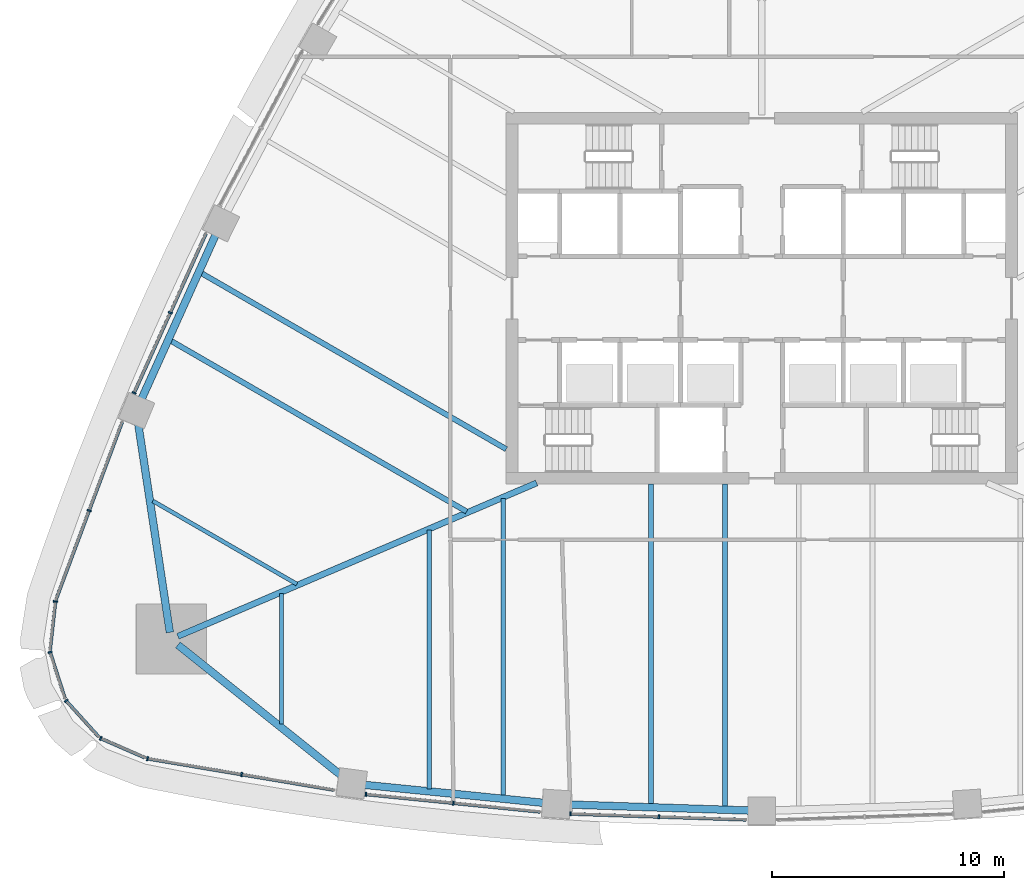
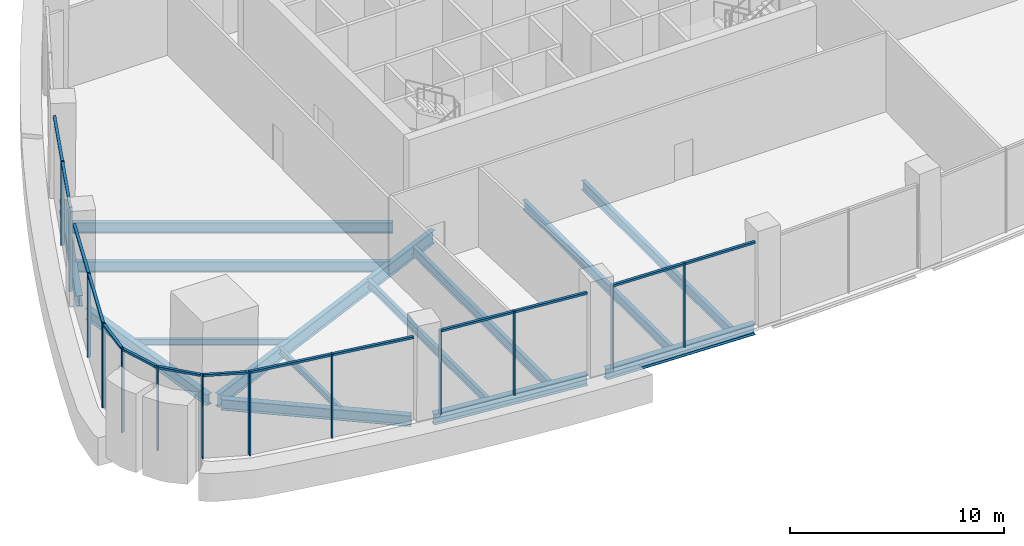
# One storey, part 2 of 16: 27 members, 14 beams, 9 elements without a shape of their own.
"""IFC4 building model written with IfcOpenShell, lengths in metres."""

from ifc_helpers import new_model, si_unit, direction, frame, origin, origin_2d, place, context, subcontext, project, spatial, rectangle, i_section, extrude, material, layer, layer_set, material_profile, profile_set, type_object, element, aggregate, save


model = new_model("IFC4")

# Units and contexts
model_context = context("Model", 3, precision=1e-05, world=origin(), true_north=direction((0.0, 1.0)))
body_context = subcontext(model_context, "Body", "Model", "MODEL_VIEW")
ifc_project = project(units=[si_unit("LENGTHUNIT", "METRE"), si_unit("AREAUNIT", "SQUARE_METRE"), si_unit("VOLUMEUNIT", "CUBIC_METRE"), si_unit("PLANEANGLEUNIT", "RADIAN"), si_unit("MASSUNIT", "GRAM", prefix="KILO")], contexts=[model_context])

# Site, building, storey
site_placement = place(None, origin())
site = spatial("IfcSite", under=ifc_project, at=site_placement, CompositionType="ELEMENT")
building_placement = place(site_placement, origin())
building = spatial("IfcBuilding", under=site, at=building_placement, Name="Sierra Prisma Convention Tower", CompositionType="ELEMENT")
storey_placement = place(building_placement, frame((0.0, 0.0, 107.199951171875)))
storey = spatial("IfcBuildingStorey", under=building, at=storey_placement, Name="L23", CompositionType="ELEMENT", Elevation=107.199951171875)

# Curtain wall, members
ifc_material_1 = material(Name="Aluminium and glass curtain wall", Category="aluminium")
ifc_layer = layer(ifc_material_1, 0.179931640625)
ifc_layer_set = layer_set([ifc_layer], Name="CW-1 Plain shaft curtain wall")
curtain_wall_type = type_object("IfcCurtainWallType", Name="CW-1 Plain shaft curtain wall", PredefinedType="NOTDEFINED", material=ifc_layer_set)
curtain_wall_1_placement = place(storey_placement, origin())
curtain_wall_1 = element("IfcCurtainWall", 1, at=curtain_wall_1_placement, inside=storey, type_object=curtain_wall_type, Name="CW-1 S1 L23", PredefinedType="NOTDEFINED")
ifc_material_2 = material(Name="Aluminium 6063-T6 bronze anodised", Category="aluminium")
ifc_material_profile_1 = material_profile(ifc_material_2, rectangle(XDim=0.179931640625, YDim=0.070068359375, at=origin_2d()), Name="ALU MULLION 70x180")
ifc_profile_set_1 = profile_set([ifc_material_profile_1], Name="Aluminium 6063-T6 bronze anodised")
member_type_1 = type_object("IfcMemberType", Name="CW mullion bronze", PredefinedType="MULLION", material=ifc_profile_set_1)
member_1_placement = place(storey_placement, frame((-26.43994140625, -19.8212890625, 0.0), z_axis=(0.0, 0.0, 1.0), x_axis=(0.16596362774, 0.986131874684, 0.0)))
member_1 = element("IfcMember", 2, at=member_1_placement, type_object=member_type_1, Name="CW-1 mullion S1.1", PredefinedType="MULLION", context=body_context, shape_type="SweptSolid", body=[
    extrude(rectangle(XDim=0.179931640625, YDim=0.070068359375, at=origin_2d()), origin(), (0.0, 0.0, 1.0), 4.800048828125),
])
member_2_placement = place(storey_placement, frame((-22.390625, -20.502685546875, 0.0), z_axis=(0.0, 0.0, 1.0), x_axis=(0.16596362774, 0.986131874684, 0.0)))
member_2 = element("IfcMember", 3, at=member_2_placement, type_object=member_type_1, Name="CW-1 mullion S1.2", PredefinedType="MULLION", context=body_context, shape_type="SweptSolid", body=[
    extrude(rectangle(XDim=0.179931640625, YDim=0.070068359375, at=origin_2d()), origin(), (0.0, 0.0, 1.0), 4.800048828125),
])

curtain_wall_2_placement = place(storey_placement, origin())
curtain_wall_2 = element("IfcCurtainWall", 4, at=curtain_wall_2_placement, inside=storey, type_object=curtain_wall_type, Name="CW-1 S2 L23", PredefinedType="NOTDEFINED")
member_3_placement = place(storey_placement, frame((-17.03857421875, -21.357421875, 0.0), z_axis=(0.0, 0.0, 1.0), x_axis=(0.09987427772, 0.995000064648, 0.0)))
member_3 = element("IfcMember", 5, at=member_3_placement, type_object=member_type_1, Name="CW-1 mullion S2.1", PredefinedType="MULLION", context=body_context, shape_type="SweptSolid", body=[
    extrude(rectangle(XDim=0.179931640625, YDim=0.070068359375, at=origin_2d()), origin(), (0.0, 0.0, 1.0), 4.800048828125),
])
member_4_placement = place(storey_placement, frame((-13.27392578125, -21.7353515625, 0.0), z_axis=(0.0, 0.0, 1.0), x_axis=(0.09987427772, 0.995000064648, 0.0)))
member_4 = element("IfcMember", 6, at=member_4_placement, type_object=member_type_1, Name="CW-1 mullion S2.2", PredefinedType="MULLION", context=body_context, shape_type="SweptSolid", body=[
    extrude(rectangle(XDim=0.179931640625, YDim=0.070068359375, at=origin_2d()), origin(), (0.0, 0.0, 1.0), 4.800048828125),
])

curtain_wall_3_placement = place(storey_placement, origin())
curtain_wall_3 = element("IfcCurtainWall", 7, at=curtain_wall_3_placement, inside=storey, type_object=curtain_wall_type, Name="CW-1 S3 L23", PredefinedType="NOTDEFINED")
member_5_placement = place(storey_placement, frame((-8.22998046875, -22.1982421875, 0.0), z_axis=(0.0, 0.0, 1.0), x_axis=(0.033340842002, 0.999444039581, 0.0)))
member_5 = element("IfcMember", 8, at=member_5_placement, type_object=member_type_1, Name="CW-1 mullion S3.1", PredefinedType="MULLION", context=body_context, shape_type="SweptSolid", body=[
    extrude(rectangle(XDim=0.179931640625, YDim=0.070068359375, at=origin_2d()), origin(), (0.0, 0.0, 1.0), 4.800048828125),
])
member_6_placement = place(storey_placement, frame((-4.432373046875, -22.324951171875, 0.0), z_axis=(0.0, 0.0, 1.0), x_axis=(0.033340842002, 0.999444039581, 0.0)))
member_6 = element("IfcMember", 9, at=member_6_placement, type_object=member_type_1, Name="CW-1 mullion S3.2", PredefinedType="MULLION", context=body_context, shape_type="SweptSolid", body=[
    extrude(rectangle(XDim=0.179931640625, YDim=0.070068359375, at=origin_2d()), origin(), (0.0, 0.0, 1.0), 4.800048828125),
])

curtain_wall_4_placement = place(storey_placement, origin())
curtain_wall_4 = element("IfcCurtainWall", 10, at=curtain_wall_4_placement, inside=storey, type_object=curtain_wall_type, Name="CW-1 NW5 L23", PredefinedType="NOTDEFINED")
member_7_placement = place(storey_placement, frame((-25.46044921875, -0.627685546875, 0.0), z_axis=(0.0, 0.0, 1.0), x_axis=(0.911632471612, -0.411006370634, 0.0)))
member_7 = element("IfcMember", 11, at=member_7_placement, type_object=member_type_1, Name="CW-1 mullion NW5.2", PredefinedType="MULLION", context=body_context, shape_type="SweptSolid", body=[
    extrude(rectangle(XDim=0.179931640625, YDim=0.070068359375, at=origin_2d()), origin(), (0.0, 0.0, 1.0), 4.800048828125),
])
member_8_placement = place(storey_placement, frame((-27.015380859375, -4.076904296875, 0.0), z_axis=(0.0, 0.0, 1.0), x_axis=(0.911632471612, -0.411006370634, 0.0)))
member_8 = element("IfcMember", 12, at=member_8_placement, type_object=member_type_1, Name="CW-1 mullion NW5.3", PredefinedType="MULLION", context=body_context, shape_type="SweptSolid", body=[
    extrude(rectangle(XDim=0.179931640625, YDim=0.070068359375, at=origin_2d()), origin(), (0.0, 0.0, 1.0), 4.800048828125),
])

# Curtain wall, member
curtain_wall_5_placement = place(storey_placement, origin())
curtain_wall_5 = element("IfcCurtainWall", 13, at=curtain_wall_5_placement, inside=storey, type_object=curtain_wall_type, Name="CW-1 NW6 L23", PredefinedType="NOTDEFINED")
member_9_placement = place(storey_placement, frame((-28.951171875, -9.139404296875, 0.0), z_axis=(0.0, 0.0, 1.0), x_axis=(0.936997068828, -0.349337219615, 0.0)))
member_9 = element("IfcMember", 14, at=member_9_placement, type_object=member_type_1, Name="CW-1 mullion NW6.2", PredefinedType="MULLION", context=body_context, shape_type="SweptSolid", body=[
    extrude(rectangle(XDim=0.179931640625, YDim=0.070068359375, at=origin_2d()), origin(), (0.0, 0.0, 1.0), 4.800048828125),
])

curtain_wall_6_placement = place(storey_placement, origin())
curtain_wall_6 = element("IfcCurtainWall", 15, at=curtain_wall_6_placement, inside=storey, type_object=curtain_wall_type, Name="CW-1 SW1 L23", PredefinedType="NOTDEFINED")
member_10_placement = place(storey_placement, frame((-30.40185546875, -13.054443359375, 0.0), z_axis=(0.0, 0.0, 1.0), x_axis=(0.993763825776, -0.111505419508, 0.0)))
member_10 = element("IfcMember", 16, at=member_10_placement, type_object=member_type_1, Name="CW-1 mullion SW1.1", PredefinedType="MULLION", context=body_context, shape_type="SweptSolid", body=[
    extrude(rectangle(XDim=0.179931640625, YDim=0.070068359375, at=origin_2d()), origin(), (0.0, 0.0, 1.0), 4.800048828125),
])

curtain_wall_7_placement = place(storey_placement, origin())
curtain_wall_7 = element("IfcCurtainWall", 17, at=curtain_wall_7_placement, inside=storey, type_object=curtain_wall_type, Name="CW-1 SW2 L23", PredefinedType="NOTDEFINED")
member_11_placement = place(storey_placement, frame((-30.632568359375, -15.240478515625, 0.0), z_axis=(0.0, 0.0, 1.0), x_axis=(0.951776810469, 0.306791302116, 0.0)))
member_11 = element("IfcMember", 18, at=member_11_placement, type_object=member_type_1, Name="CW-1 mullion SW2.1", PredefinedType="MULLION", context=body_context, shape_type="SweptSolid", body=[
    extrude(rectangle(XDim=0.179931640625, YDim=0.070068359375, at=origin_2d()), origin(), (0.0, 0.0, 1.0), 4.800048828125),
])

curtain_wall_8_placement = place(storey_placement, origin())
curtain_wall_8 = element("IfcCurtainWall", 19, at=curtain_wall_8_placement, inside=storey, type_object=curtain_wall_type, Name="CW-1 SW3 L23", PredefinedType="NOTDEFINED")
member_12_placement = place(storey_placement, frame((-29.944580078125, -17.328125, 0.0), z_axis=(0.0, 0.0, 1.0), x_axis=(0.741577466527, 0.670867245541, 0.0)))
member_12 = element("IfcMember", 20, at=member_12_placement, type_object=member_type_1, Name="CW-1 mullion SW3.1", PredefinedType="MULLION", context=body_context, shape_type="SweptSolid", body=[
    extrude(rectangle(XDim=0.179931640625, YDim=0.070068359375, at=origin_2d()), origin(), (0.0, 0.0, 1.0), 4.800048828125),
])

curtain_wall_9_placement = place(storey_placement, origin())
curtain_wall_9 = element("IfcCurtainWall", 21, at=curtain_wall_9_placement, inside=storey, type_object=curtain_wall_type, Name="CW-1 SW4 L23", PredefinedType="NOTDEFINED")
member_13_placement = place(storey_placement, frame((-28.459228515625, -18.9482421875, 0.0), z_axis=(0.0, 0.0, 1.0), x_axis=(0.400315386935, 0.916377428238, 0.0)))
member_13 = element("IfcMember", 22, at=member_13_placement, type_object=member_type_1, Name="CW-1 mullion SW4.1", PredefinedType="MULLION", context=body_context, shape_type="SweptSolid", body=[
    extrude(rectangle(XDim=0.179931640625, YDim=0.070068359375, at=origin_2d()), origin(), (0.0, 0.0, 1.0), 4.800048828125),
])

# Member
ifc_material_3 = material(Name="Aluminium 6063-T6 bronze anodised", Category="aluminium")
ifc_material_profile_2 = material_profile(ifc_material_3, rectangle(XDim=0.139892578125, YDim=0.1201171875, at=origin_2d()), Name="ALU TRANSOM 120x140")
ifc_profile_set_2 = profile_set([ifc_material_profile_2], Name="Aluminium 6063-T6 bronze anodised")
member_type_2 = type_object("IfcMemberType", Name="CW transom bronze", PredefinedType="USERDEFINED", material=ifc_profile_set_2)
member_14_placement = place(storey_placement, frame((-26.4052734375, -19.8271484375, 4.739990234375), z_axis=(0.986139355539, -0.165919171456, 0.0), x_axis=(0.165919171456, 0.986139355539, 0.0)))
member_14 = element("IfcMember", 23, at=member_14_placement, type_object=member_type_2, Name="CW-1 transom S1.1", ObjectType="TRANSOM", PredefinedType="USERDEFINED", context=body_context, shape_type="SweptSolid", body=[
    extrude(rectangle(XDim=0.139892578125, YDim=0.1201171875, at=origin_2d()), origin(), (0.0, 0.0, 1.0), 4.0361328125),
])

member_15_placement = place(storey_placement, frame((-22.356201171875, -20.508544921875, 4.739990234375), z_axis=(0.986129456837, -0.165977993594, 0.0), x_axis=(0.165977993594, 0.986129456837, 0.0)))
member_15 = element("IfcMember", 24, at=member_15_placement, type_object=member_type_2, Name="CW-1 transom S1.2", ObjectType="TRANSOM", PredefinedType="USERDEFINED", context=body_context, shape_type="SweptSolid", body=[
    extrude(rectangle(XDim=0.139892578125, YDim=0.1201171875, at=origin_2d()), origin(), (0.0, 0.0, 1.0), 4.0361328125),
])

aggregate(curtain_wall_1, [member_1, member_2, member_14, member_15])

member_16_placement = place(storey_placement, frame((-17.003662109375, -21.361083984375, 4.739990234375), z_axis=(0.995001325848, -0.099861712188, 0.0), x_axis=(0.099861712188, 0.995001325848, 0.0)))
member_16 = element("IfcMember", 25, at=member_16_placement, type_object=member_type_2, Name="CW-1 transom S2.1", ObjectType="TRANSOM", PredefinedType="USERDEFINED", context=body_context, shape_type="SweptSolid", body=[
    extrude(rectangle(XDim=0.139892578125, YDim=0.1201171875, at=origin_2d()), origin(), (0.0, 0.0, 1.0), 3.713623046875),
])

member_17_placement = place(storey_placement, frame((-13.239013671875, -21.739013671875, 4.739990234375), z_axis=(0.995001325848, -0.099861712188, 0.0), x_axis=(0.099861712188, 0.995001325848, 0.0)))
member_17 = element("IfcMember", 26, at=member_17_placement, type_object=member_type_2, Name="CW-1 transom S2.2", ObjectType="TRANSOM", PredefinedType="USERDEFINED", context=body_context, shape_type="SweptSolid", body=[
    extrude(rectangle(XDim=0.139892578125, YDim=0.1201171875, at=origin_2d()), origin(), (0.0, 0.0, 1.0), 3.713623046875),
])

aggregate(curtain_wall_2, [member_3, member_4, member_16, member_17])

member_18_placement = place(storey_placement, frame((-8.195068359375, -22.199462890625, 4.739990234375), z_axis=(0.999444834329, -0.033317009671, 0.0), x_axis=(0.033317009671, 0.999444834329, 0.0)))
member_18 = element("IfcMember", 27, at=member_18_placement, type_object=member_type_2, Name="CW-1 transom S3.1", ObjectType="TRANSOM", PredefinedType="USERDEFINED", context=body_context, shape_type="SweptSolid", body=[
    extrude(rectangle(XDim=0.139892578125, YDim=0.1201171875, at=origin_2d()), origin(), (0.0, 0.0, 1.0), 3.729736328125),
])

member_19_placement = place(storey_placement, frame((-4.397216796875, -22.326171875, 4.739990234375), z_axis=(0.999444761664, -0.033319189395, 0.0), x_axis=(0.033319189395, 0.999444761664, 0.0)))
member_19 = element("IfcMember", 28, at=member_19_placement, type_object=member_type_2, Name="CW-1 transom S3.2", ObjectType="TRANSOM", PredefinedType="USERDEFINED", context=body_context, shape_type="SweptSolid", body=[
    extrude(rectangle(XDim=0.139892578125, YDim=0.1201171875, at=origin_2d()), origin(), (0.0, 0.0, 1.0), 3.7294921875),
])

aggregate(curtain_wall_3, [member_5, member_6, member_18, member_19])

member_20_placement = place(storey_placement, frame((-23.919677734375, 2.78955078125, 4.739990234375), z_axis=(-0.41101241598, -0.911629746065, 0.0), x_axis=(0.911629746065, -0.41101241598, 0.0)))
member_20 = element("IfcMember", 29, at=member_20_placement, type_object=member_type_2, Name="CW-1 transom NW5.1", ObjectType="TRANSOM", PredefinedType="USERDEFINED", context=body_context, shape_type="SweptSolid", body=[
    extrude(rectangle(XDim=0.139892578125, YDim=0.1201171875, at=origin_2d()), origin(), (0.0, 0.0, 1.0), 3.713623046875),
])

member_21_placement = place(storey_placement, frame((-25.474609375, -0.65966796875, 4.739990234375), z_axis=(-0.41101241598, -0.911629746065, 0.0), x_axis=(0.911629746065, -0.41101241598, 0.0)))
member_21 = element("IfcMember", 30, at=member_21_placement, type_object=member_type_2, Name="CW-1 transom NW5.2", ObjectType="TRANSOM", PredefinedType="USERDEFINED", context=body_context, shape_type="SweptSolid", body=[
    extrude(rectangle(XDim=0.139892578125, YDim=0.1201171875, at=origin_2d()), origin(), (0.0, 0.0, 1.0), 3.713623046875),
])

aggregate(curtain_wall_4, [member_7, member_8, member_20, member_21])

member_22_placement = place(storey_placement, frame((-27.529052734375, -5.324951171875, 4.739990234375), z_axis=(-0.349332942615, -0.936998663395, 0.0), x_axis=(0.936998663395, -0.349332942615, 0.0)))
member_22 = element("IfcMember", 31, at=member_22_placement, type_object=member_type_2, Name="CW-1 transom NW6.1", ObjectType="TRANSOM", PredefinedType="USERDEFINED", context=body_context, shape_type="SweptSolid", body=[
    extrude(rectangle(XDim=0.139892578125, YDim=0.1201171875, at=origin_2d()), origin(), (0.0, 0.0, 1.0), 4.0361328125),
])

member_23_placement = place(storey_placement, frame((-28.96337890625, -9.17236328125, 4.739990234375), z_axis=(-0.34938604961, -0.936978862268, 0.0), x_axis=(0.936978862268, -0.34938604961, 0.0)))
member_23 = element("IfcMember", 32, at=member_23_placement, type_object=member_type_2, Name="CW-1 transom NW6.2", ObjectType="TRANSOM", PredefinedType="USERDEFINED", context=body_context, shape_type="SweptSolid", body=[
    extrude(rectangle(XDim=0.139892578125, YDim=0.1201171875, at=origin_2d()), origin(), (0.0, 0.0, 1.0), 4.0361328125),
])

aggregate(curtain_wall_5, [member_9, member_22, member_23])

member_24_placement = place(storey_placement, frame((-30.40576171875, -13.08935546875, 4.739990234375), z_axis=(-0.111471609175, -0.993767618887, 0.0), x_axis=(0.993767618887, -0.111471609175, 0.0)))
member_24 = element("IfcMember", 33, at=member_24_placement, type_object=member_type_2, Name="CW-1 transom SW1.1", ObjectType="TRANSOM", PredefinedType="USERDEFINED", context=body_context, shape_type="SweptSolid", body=[
    extrude(rectangle(XDim=0.139892578125, YDim=0.1201171875, at=origin_2d()), origin(), (0.0, 0.0, 1.0), 2.06103515625),
])

aggregate(curtain_wall_6, [member_10, member_24])

member_25_placement = place(storey_placement, frame((-30.621826171875, -15.273681640625, 4.739990234375), z_axis=(0.306795115776, -0.951775581183, 0.0), x_axis=(0.951775581183, 0.306795115776, 0.0)))
member_25 = element("IfcMember", 34, at=member_25_placement, type_object=member_type_2, Name="CW-1 transom SW2.1", ObjectType="TRANSOM", PredefinedType="USERDEFINED", context=body_context, shape_type="SweptSolid", body=[
    extrude(rectangle(XDim=0.139892578125, YDim=0.1201171875, at=origin_2d()), origin(), (0.0, 0.0, 1.0), 2.06103515625),
])

aggregate(curtain_wall_7, [member_11, member_25])

member_26_placement = place(storey_placement, frame((-29.921142578125, -17.35400390625, 4.739990234375), z_axis=(0.670925730571, -0.741524553915, 0.0), x_axis=(0.741524553915, 0.670925730571, 0.0)))
member_26 = element("IfcMember", 35, at=member_26_placement, type_object=member_type_2, Name="CW-1 transom SW3.1", ObjectType="TRANSOM", PredefinedType="USERDEFINED", context=body_context, shape_type="SweptSolid", body=[
    extrude(rectangle(XDim=0.139892578125, YDim=0.1201171875, at=origin_2d()), origin(), (0.0, 0.0, 1.0), 2.06103515625),
])

aggregate(curtain_wall_8, [member_12, member_26])

member_27_placement = place(storey_placement, frame((-28.42724609375, -18.96240234375, 4.739990234375), z_axis=(0.916396419408, -0.400271910701, 0.0), x_axis=(0.400271910701, 0.916396419408, 0.0)))
member_27 = element("IfcMember", 36, at=member_27_placement, type_object=member_type_2, Name="CW-1 transom SW4.1", ObjectType="TRANSOM", PredefinedType="USERDEFINED", context=body_context, shape_type="SweptSolid", body=[
    extrude(rectangle(XDim=0.139892578125, YDim=0.1201171875, at=origin_2d()), origin(), (0.0, 0.0, 1.0), 2.06103515625),
])

aggregate(curtain_wall_9, [member_13, member_27])

# Beams
ifc_material_4 = material(Name="Steel ASTM A992 Gr 50", Category="steel")
ifc_material_profile_3 = material_profile(ifc_material_4, i_section(OverallWidth=0.172119140625, OverallDepth=0.35791015625, WebThickness=0.0078125, FlangeThickness=0.01318359375, at=origin_2d()), Name="W360x57")
ifc_profile_set_3 = profile_set([ifc_material_profile_3], Name="Steel ASTM A992 Gr 50")
beam_type_1 = type_object("IfcBeamType", Name="Floor joist W360x57", PredefinedType="JOIST", material=ifc_profile_set_3)
beam_1_placement = place(storey_placement, frame((-20.6650390625, -18.336181640625, -0.328857421875), z_axis=(0.0, 1.0, 0.0), x_axis=(-1.0, 0.0, 0.0)))
element("IfcBeam", 37, at=beam_1_placement, inside=storey, type_object=beam_type_1, Name="Floor joist L23 S02", PredefinedType="JOIST", context=body_context, shape_type="SweptSolid", body=[
    extrude(i_section(OverallWidth=0.172119140625, OverallDepth=0.35791015625, WebThickness=0.0078125, FlangeThickness=0.01318359375, at=origin_2d()), origin(), (0.0, 0.0, 1.0), 5.63330078125),
])
beam_2_placement = place(storey_placement, frame((-26.2119140625, -8.728271484375, -0.328857421875), z_axis=(0.866010118182, -0.500026474506, 0.0), x_axis=(0.500026474506, 0.866010118182, 0.0)))
element("IfcBeam", 38, at=beam_2_placement, inside=storey, type_object=beam_type_1, Name="Floor joist L23 NW15", PredefinedType="JOIST", context=body_context, shape_type="SweptSolid", body=[
    extrude(i_section(OverallWidth=0.172119140625, OverallDepth=0.35791015625, WebThickness=0.0078125, FlangeThickness=0.01318359375, at=origin_2d()), origin(), (0.0, 0.0, 1.0), 7.15966796875),
])
ifc_material_5 = material(Name="Steel ASTM A992 Gr 50", Category="steel")
ifc_material_profile_4 = material_profile(ifc_material_5, i_section(OverallWidth=0.18994140625, OverallDepth=0.45703125, WebThickness=0.009033203125, FlangeThickness=0.014404296875, at=origin_2d()), Name="W460x74")
ifc_profile_set_4 = profile_set([ifc_material_profile_4], Name="Steel ASTM A992 Gr 50")
beam_type_2 = type_object("IfcBeamType", Name="Floor joist W460x74", PredefinedType="JOIST", material=ifc_profile_set_4)
beam_3_placement = place(storey_placement, frame((-14.306396484375, -21.11669921875, -0.37841796875), z_axis=(0.0, 1.0, 0.0), x_axis=(-1.0, 0.0, 0.0)))
element("IfcBeam", 39, at=beam_3_placement, inside=storey, type_object=beam_type_2, Name="Floor joist L23 S04", PredefinedType="JOIST", context=body_context, shape_type="SweptSolid", body=[
    extrude(i_section(OverallWidth=0.18994140625, OverallDepth=0.45703125, WebThickness=0.009033203125, FlangeThickness=0.014404296875, at=origin_2d()), origin(), (0.0, 0.0, 1.0), 11.13232421875),
])
ifc_material_6 = material(Name="Steel ASTM A992 Gr 50", Category="steel")
ifc_material_profile_5 = material_profile(ifc_material_6, i_section(OverallWidth=0.208984375, OverallDepth=0.532958984375, WebThickness=0.01025390625, FlangeThickness=0.015625, at=origin_2d()), Name="W530x92")
ifc_profile_set_5 = profile_set([ifc_material_profile_5], Name="Steel ASTM A992 Gr 50")
beam_type_3 = type_object("IfcBeamType", Name="Floor joist W530x92", PredefinedType="JOIST", material=ifc_profile_set_5)
beam_4_placement = place(storey_placement, frame((-11.127197265625, -21.435791015625, -0.41650390625), z_axis=(0.0, 1.0, 0.0), x_axis=(-1.0, 0.0, 0.0)))
element("IfcBeam", 40, at=beam_4_placement, inside=storey, type_object=beam_type_3, Name="Floor joist L23 S05", PredefinedType="JOIST", context=body_context, shape_type="SweptSolid", body=[
    extrude(i_section(OverallWidth=0.208984375, OverallDepth=0.532958984375, WebThickness=0.01025390625, FlangeThickness=0.015625, at=origin_2d()), origin(), (0.0, 0.0, 1.0), 12.810791015625),
])
beam_5_placement = place(storey_placement, frame((-4.768798828125, -21.80126953125, -0.41650390625), z_axis=(0.0, 1.0, 0.0), x_axis=(-1.0, 0.0, 0.0)))
element("IfcBeam", 41, at=beam_5_placement, inside=storey, type_object=beam_type_3, Name="Floor joist L23 S07", PredefinedType="JOIST", context=body_context, shape_type="SweptSolid", body=[
    extrude(i_section(OverallWidth=0.208984375, OverallDepth=0.532958984375, WebThickness=0.01025390625, FlangeThickness=0.015625, at=origin_2d()), origin(), (0.0, 0.0, 1.0), 13.80126953125),
])
beam_6_placement = place(storey_placement, frame((-1.589599609375, -21.9072265625, -0.41650390625), z_axis=(0.0, 1.0, 0.0), x_axis=(-1.0, 0.0, 0.0)))
element("IfcBeam", 42, at=beam_6_placement, inside=storey, type_object=beam_type_3, Name="Floor joist L23 S08", PredefinedType="JOIST", context=body_context, shape_type="SweptSolid", body=[
    extrude(i_section(OverallWidth=0.208984375, OverallDepth=0.532958984375, WebThickness=0.01025390625, FlangeThickness=0.015625, at=origin_2d()), origin(), (0.0, 0.0, 1.0), 13.9072265625),
])
ifc_material_7 = material(Name="Steel ASTM A992 Gr 50", Category="steel")
ifc_material_profile_6 = material_profile(ifc_material_7, i_section(OverallWidth=0.22802734375, OverallDepth=0.60302734375, WebThickness=0.010498046875, FlangeThickness=0.014892578125, at=origin_2d()), Name="W610x101")
ifc_profile_set_6 = profile_set([ifc_material_profile_6], Name="Steel ASTM A992 Gr 50")
beam_type_4 = type_object("IfcBeamType", Name="Floor joist W610x101", PredefinedType="JOIST", material=ifc_profile_set_6)
beam_7_placement = place(storey_placement, frame((-24.12744140625, 1.081298828125, -0.451416015625), z_axis=(0.866026268399, -0.49999850244, 0.0), x_axis=(0.49999850244, 0.866026268399, 0.0)))
element("IfcBeam", 43, at=beam_7_placement, inside=storey, type_object=beam_type_4, Name="Floor joist L23 NW12", PredefinedType="JOIST", context=body_context, shape_type="SweptSolid", body=[
    extrude(i_section(OverallWidth=0.22802734375, OverallDepth=0.60302734375, WebThickness=0.010498046875, FlangeThickness=0.014892578125, at=origin_2d()), origin(), (0.0, 0.0, 1.0), 15.158203125),
])
beam_8_placement = place(storey_placement, frame((-25.44091796875, -1.83154296875, -0.451416015625), z_axis=(0.86603298155, -0.499986874695, 0.0), x_axis=(0.499986874695, 0.86603298155, 0.0)))
element("IfcBeam", 44, at=beam_8_placement, inside=storey, type_object=beam_type_4, Name="Floor joist L23 NW13", PredefinedType="JOIST", context=body_context, shape_type="SweptSolid", body=[
    extrude(i_section(OverallWidth=0.22802734375, OverallDepth=0.60302734375, WebThickness=0.010498046875, FlangeThickness=0.014892578125, at=origin_2d()), origin(), (0.0, 0.0, 1.0), 14.7060546875),
])
ifc_material_8 = material(Name="Steel ASTM A992 Gr 50", Category="steel")
ifc_material_profile_7 = material_profile(ifc_material_8, i_section(OverallWidth=0.264892578125, OverallDepth=0.7529296875, WebThickness=0.01318359375, FlangeThickness=0.01708984375, at=origin_2d()), Name="W760x147")
ifc_profile_set_7 = profile_set([ifc_material_profile_7], Name="Steel ASTM A992 Gr 50")
beam_type_5 = type_object("IfcBeamType", Name="Radial girder W760x147", PredefinedType="BEAM", material=ifc_profile_set_7)
beam_9_placement = place(storey_placement, frame((-25.1337890625, -14.555908203125, -0.5263671875), z_axis=(0.91948676355, 0.393120963135, 0.0), x_axis=(-0.393120963135, 0.91948676355, 0.0)))
element("IfcBeam", 45, at=beam_9_placement, inside=storey, type_object=beam_type_5, Name="Radial girder L23 SW", PredefinedType="BEAM", context=body_context, shape_type="SweptSolid", body=[
    extrude(i_section(OverallWidth=0.264892578125, OverallDepth=0.7529296875, WebThickness=0.01318359375, FlangeThickness=0.01708984375, at=origin_2d()), origin(), (0.0, 0.0, 1.0), 16.79638671875),
])
ifc_material_9 = material(Name="Steel ASTM A992 Gr 50", Category="steel")
ifc_material_profile_8 = material_profile(ifc_material_9, i_section(OverallWidth=0.324951171875, OverallDepth=0.615966796875, WebThickness=0.013916015625, FlangeThickness=0.021484375, at=origin_2d()), Name="W610x174")
ifc_profile_set_8 = profile_set([ifc_material_profile_8], Name="Steel ASTM A992 Gr 50")
beam_type_6 = type_object("IfcBeamType", Name="Spandrel beam W610x174", PredefinedType="BEAM", material=ifc_profile_set_8)
beam_10_placement = place(storey_placement, frame((-25.1337890625, -14.923828125, -0.4580078125), z_axis=(0.781282243446, -0.624177904187, 0.0), x_axis=(0.624177904187, 0.781282243446, 0.0)))
element("IfcBeam", 46, at=beam_10_placement, inside=storey, type_object=beam_type_6, Name="Spandrel L23-01", PredefinedType="BEAM", context=body_context, shape_type="SweptSolid", body=[
    extrude(i_section(OverallWidth=0.324951171875, OverallDepth=0.615966796875, WebThickness=0.013916015625, FlangeThickness=0.021484375, at=origin_2d()), origin(), (0.0, 0.0, 1.0), 8.983642578125),
])
for number, where, z_axis, x_axis, name in (
    (47, (-17.18408203125, -20.941162109375, -0.4580078125), (0.99499915212, -0.099883368391, 0.0), (0.099883368391, 0.99499915212, 0.0), "Spandrel L23-02"),
    (48, (-8.37060546875, -21.793701171875, -0.4580078125), (0.999444220343, -0.033335422943, 0.0), (0.033335422943, 0.999444220343, 0.0), "Spandrel L23-03"),
):
    element("IfcBeam", number, at=place(storey_placement, frame(where, z_axis=z_axis, x_axis=x_axis)), inside=storey, type_object=beam_type_6, Name=name, PredefinedType="BEAM", context=body_context, shape_type="SweptSolid", body=[
        extrude(i_section(OverallWidth=0.324951171875, OverallDepth=0.615966796875, WebThickness=0.013916015625, FlangeThickness=0.021484375, at=origin_2d()), origin(), (0.0, 0.0, 1.0), 7.89501953125),
    ])
beam_11_placement = place(storey_placement, frame((-23.482666015625, 2.7861328125, -0.4580078125), z_axis=(-0.410995894178, -0.911637194814, 0.0), x_axis=(0.911637194814, -0.410995894178, 0.0)))
element("IfcBeam", 49, at=beam_11_placement, inside=storey, type_object=beam_type_6, Name="Spandrel L23-17", PredefinedType="BEAM", context=body_context, shape_type="SweptSolid", body=[
    extrude(i_section(OverallWidth=0.324951171875, OverallDepth=0.615966796875, WebThickness=0.013916015625, FlangeThickness=0.021484375, at=origin_2d()), origin(), (0.0, 0.0, 1.0), 7.895263671875),
])
beam_12_placement = place(storey_placement, frame((-26.838134765625, -5.42236328125, -0.4580078125), z_axis=(0.149915484535, -0.988698815361, 0.0), x_axis=(0.988698815361, 0.149915484535, 0.0)))
element("IfcBeam", 50, at=beam_12_placement, inside=storey, type_object=beam_type_6, Name="Spandrel L23-18", PredefinedType="BEAM", context=body_context, shape_type="SweptSolid", body=[
    extrude(i_section(OverallWidth=0.324951171875, OverallDepth=0.615966796875, WebThickness=0.013916015625, FlangeThickness=0.021484375, at=origin_2d()), origin(), (0.0, 0.0, 1.0), 9.064453125),
])

save(model, "model.ifc")
